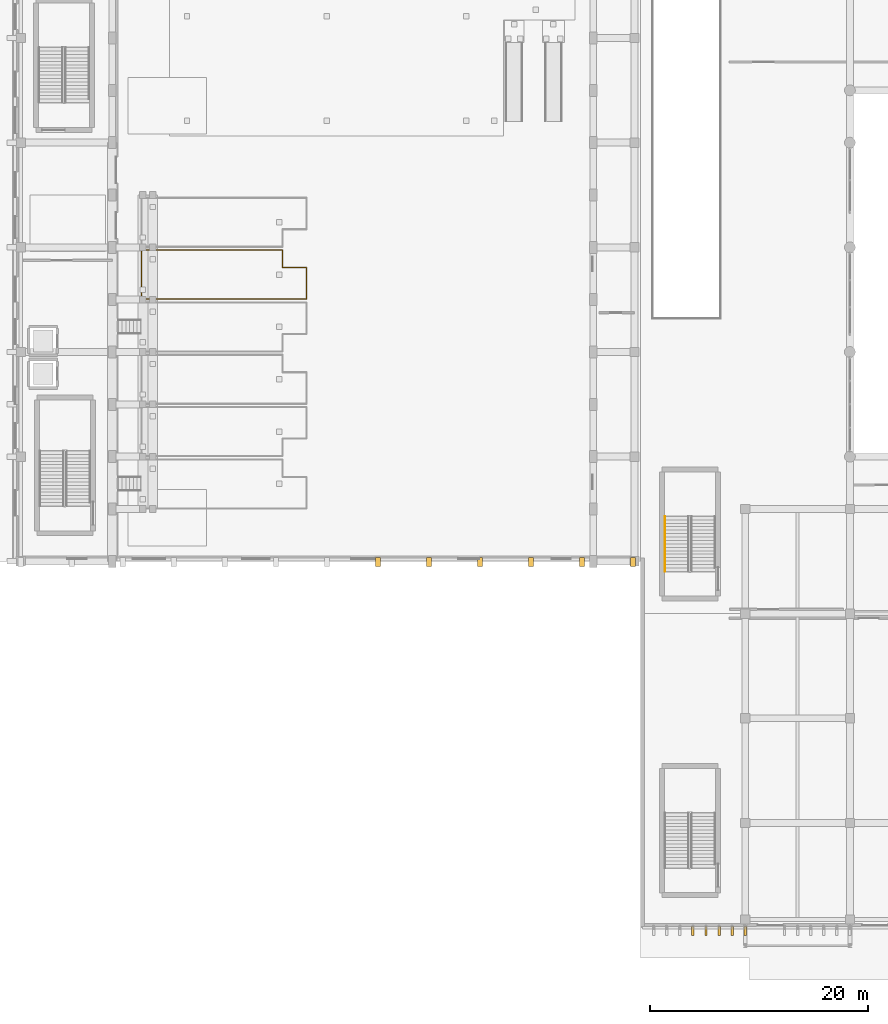
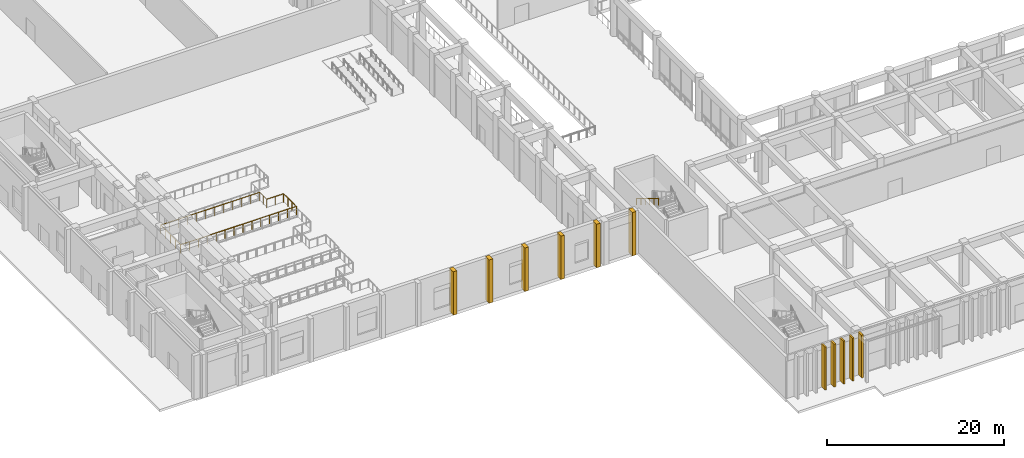
# One storey, part 62 of 87: 11 coverings, 5 shading devices, 2 railings.
"""IFC4 building model written with IfcOpenShell, lengths in metres."""

from ifc_helpers import new_model, si_unit, direction, frame, origin, origin_2d, place, context, subcontext, project, spatial, rectangle, circle, extrude, material, layer, layer_set, type_object, element, save


model = new_model("IFC4")

# Units and contexts
model_context = context("Model", 3, precision=1e-05, world=origin(), true_north=direction((0.0, 1.0)))
body_context = subcontext(model_context, "Body", "Model", "MODEL_VIEW")
ifc_project = project(units=[si_unit("LENGTHUNIT", "METRE"), si_unit("AREAUNIT", "SQUARE_METRE"), si_unit("VOLUMEUNIT", "CUBIC_METRE"), si_unit("PLANEANGLEUNIT", "RADIAN"), si_unit("MASSUNIT", "GRAM", prefix="KILO")], contexts=[model_context])

# Site, building, storey
site_placement = place(None, origin())
site = spatial("IfcSite", under=ifc_project, at=site_placement, CompositionType="ELEMENT")
building_placement = place(site_placement, origin())
building = spatial("IfcBuilding", under=site, at=building_placement, Name="Nakhvara Creek Congress Hotel", CompositionType="ELEMENT")
storey_placement = place(building_placement, origin())
storey = spatial("IfcBuildingStorey", under=building, at=storey_placement, Name="L00", CompositionType="ELEMENT", Elevation=0.0)

# Coverings
ifc_material_1 = material(Name="Honed pale Omani limestone architectural cladding", Category="masonry")
ifc_layer_1 = layer(ifc_material_1, 0.449951171875)
ifc_layer_set_1 = layer_set([ifc_layer_1], Name="Honed pale Omani limestone architectural cladding")
covering_type_1 = type_object("IfcCoveringType", Name="COV-BUTT-850", PredefinedType="CLADDING", material=ifc_layer_set_1)
for number, where, z_axis, x_axis, name in (
    (1, (33.510009765625, 33.534912109375, 0.0), (0.0, 0.0, 1.0), (1.0, 0.0, 0.0), "Gothic Limestone Buttress Pier CF03-0413"),
    (2, (38.18994140625, 33.534912109375, 0.0), (0.0, 0.0, 1.0), (1.0, 0.0, 0.0), "Gothic Limestone Buttress Pier CF03-0414"),
    (3, (42.8701171875, 33.534912109375, 0.0), (0.0, 0.0, 1.0), (1.0, 0.0, 0.0), "Gothic Limestone Buttress Pier CF03-0415"),
    (4, (47.550048828125, 33.534912109375, 0.0), (0.0, 0.0, 1.0), (1.0, 0.0, 0.0), "Gothic Limestone Buttress Pier CF03-0416"),
    (5, (52.22998046875, 33.534912109375, 0.0), (0.0, 0.0, 1.0), (1.0, 0.0, 0.0), "Gothic Limestone Buttress Pier CF03-0417"),
    (6, (56.909912109375, 33.534912109375, 0.0), (0.0, 0.0, 1.0), (1.0, 0.0, 0.0), "Gothic Limestone Buttress Pier CF03-0418"),
):
    element("IfcCovering", number, at=place(storey_placement, frame(where, z_axis=z_axis, x_axis=x_axis)), inside=storey, type_object=covering_type_1, Name=name, PredefinedType="CLADDING", context=body_context, shape_type="SweptSolid", body=[
        extrude(rectangle(XDim=0.47998046875, YDim=0.85009765625, at=origin_2d()), origin(), (0.0, 0.0, 1.0), 6.0),
    ])
ifc_layer_2 = layer(ifc_material_1, 0.219970703125)
ifc_layer_set_2 = layer_set([ifc_layer_2], Name="Honed pale Omani limestone architectural cladding")
covering_type_2 = type_object("IfcCoveringType", Name="COV-FIN-850", PredefinedType="CLADDING", material=ifc_layer_set_2)
for number, where, z_axis, x_axis, name in (
    (7, (62.39990234375, -0.304931640625, 0.0), (0.0, 0.0, 1.0), (1.0, 0.0, 0.0), "Pale Limestone Fin Cladding CF01-0045"),
    (8, (63.60009765625, -0.304931640625, 0.0), (0.0, 0.0, 1.0), (1.0, 0.0, 0.0), "Pale Limestone Fin Cladding CF01-0046"),
    (9, (64.800048828125, -0.304931640625, 0.0), (0.0, 0.0, 1.0), (1.0, 0.0, 0.0), "Pale Limestone Fin Cladding CF01-0047"),
    (10, (66.0, -0.304931640625, 0.0), (0.0, 0.0, 1.0), (1.0, 0.0, 0.0), "Pale Limestone Fin Cladding CF01-0048"),
    (11, (67.199951171875, -0.304931640625, 0.0), (0.0, 0.0, 1.0), (1.0, 0.0, 0.0), "Pale Limestone Fin Cladding CF01-0049"),
):
    element("IfcCovering", number, at=place(storey_placement, frame(where, z_axis=z_axis, x_axis=x_axis)), inside=storey, type_object=covering_type_2, Name=name, PredefinedType="CLADDING", context=body_context, shape_type="SweptSolid", body=[
        extrude(rectangle(XDim=0.219970703125, YDim=0.85009765625, at=origin_2d()), origin(), (0.0, 0.0, 1.0), 5.919921875),
    ])

# Railings
ifc_material_2 = material(Name="Bronze-anodised aluminium and laminated safety glass balustrade", Category="aluminium")
railing_type_1 = type_object("IfcRailingType", Name="RL-BALUS-1200", PredefinedType="BALUSTRADE", material=ifc_material_2)
railing_1_placement = place(storey_placement, frame((11.81005859375, 57.659912109375, 1.199951171875)))
element("IfcRailing", 12, at=railing_1_placement, inside=storey, type_object=railing_type_1, Name="Stand Tier Balustrade L00-05", PredefinedType="BALUSTRADE", context=body_context, shape_type="SweptSolid", body=[
    extrude(circle(Radius=0.02392578125, at=origin_2d()), frame((0.0146484375, 0.0, 1.17578125), z_axis=(1.0, 0.0, 0.0), x_axis=(0.0, 1.0, 0.0)), (0.0, 0.0, 1.0), 15.1005859375),
    extrude(circle(Radius=0.02392578125, at=origin_2d()), frame((15.1298828125, 0.0146484375, 1.17578125), z_axis=(0.0, 1.0, 0.0), x_axis=(-1.0, 0.0, 0.0)), (0.0, 0.0, 1.0), 2.850830078125),
    extrude(circle(Radius=0.02392578125, at=origin_2d()), frame((15.115234375, 2.880126953125, 1.17578125), z_axis=(-1.0, 0.0, 0.0), x_axis=(0.0, -1.0, 0.0)), (0.0, 0.0, 1.0), 2.170654296875),
    extrude(circle(Radius=0.02392578125, at=origin_2d()), frame((12.929931640625, 2.894775390625, 1.17578125), z_axis=(0.0, 1.0, 0.0), x_axis=(-1.0, 0.0, 0.0)), (0.0, 0.0, 1.0), 1.570556640625),
    extrude(circle(Radius=0.02392578125, at=origin_2d()), frame((12.915283203125, 4.47998046875, 1.17578125), z_axis=(-1.0, 0.0, 0.0), x_axis=(0.0, -1.0, 0.0)), (0.0, 0.0, 1.0), 12.900634765625),
    extrude(circle(Radius=0.02392578125, at=origin_2d()), frame((0.0, 4.46533203125, 1.17578125), z_axis=(0.0, -1.0, 0.0), x_axis=(1.0, 0.0, 0.0)), (0.0, 0.0, 1.0), 4.45068359375),
    extrude(circle(Radius=0.02099609375, at=origin_2d()), origin(), (0.0, 0.0, 1.0), 1.1806640625),
    extrude(circle(Radius=0.02099609375, at=origin_2d()), frame((1.163818359375, 0.0, 0.0)), (0.0, 0.0, 1.0), 1.1806640625),
    extrude(circle(Radius=0.02099609375, at=origin_2d()), frame((2.32763671875, 0.0, 0.0)), (0.0, 0.0, 1.0), 1.1806640625),
    extrude(circle(Radius=0.02099609375, at=origin_2d()), frame((3.491455078125, 0.0, 0.0)), (0.0, 0.0, 1.0), 1.1806640625),
    extrude(circle(Radius=0.02099609375, at=origin_2d()), frame((4.6552734375, 0.0, 0.0)), (0.0, 0.0, 1.0), 1.1806640625),
    extrude(circle(Radius=0.02099609375, at=origin_2d()), frame((5.819091796875, 0.0, 0.0)), (0.0, 0.0, 1.0), 1.1806640625),
    extrude(circle(Radius=0.02099609375, at=origin_2d()), frame((6.98291015625, 0.0, 0.0)), (0.0, 0.0, 1.0), 1.1806640625),
    extrude(circle(Radius=0.02099609375, at=origin_2d()), frame((8.14697265625, 0.0, 0.0)), (0.0, 0.0, 1.0), 1.1806640625),
    extrude(circle(Radius=0.02099609375, at=origin_2d()), frame((9.310791015625, 0.0, 0.0)), (0.0, 0.0, 1.0), 1.1806640625),
    extrude(circle(Radius=0.02099609375, at=origin_2d()), frame((10.474609375, 0.0, 0.0)), (0.0, 0.0, 1.0), 1.1806640625),
    extrude(circle(Radius=0.02099609375, at=origin_2d()), frame((11.638427734375, 0.0, 0.0)), (0.0, 0.0, 1.0), 1.1806640625),
    extrude(circle(Radius=0.02099609375, at=origin_2d()), frame((12.80224609375, 0.0, 0.0)), (0.0, 0.0, 1.0), 1.1806640625),
    extrude(circle(Radius=0.02099609375, at=origin_2d()), frame((13.966064453125, 0.0, 0.0)), (0.0, 0.0, 1.0), 1.1806640625),
    extrude(circle(Radius=0.02099609375, at=origin_2d()), frame((15.1298828125, 0.0, 0.0)), (0.0, 0.0, 1.0), 1.1806640625),
    extrude(circle(Radius=0.02099609375, at=origin_2d()), frame((15.1298828125, 0.9599609375, 0.0)), (0.0, 0.0, 1.0), 1.1806640625),
    extrude(circle(Radius=0.02099609375, at=origin_2d()), frame((15.1298828125, 1.920166015625, 0.0)), (0.0, 0.0, 1.0), 1.1806640625),
    extrude(circle(Radius=0.02099609375, at=origin_2d()), frame((15.1298828125, 2.880126953125, 0.0)), (0.0, 0.0, 1.0), 1.1806640625),
    extrude(circle(Radius=0.02099609375, at=origin_2d()), frame((14.02978515625, 2.880126953125, 0.0)), (0.0, 0.0, 1.0), 1.1806640625),
    extrude(circle(Radius=0.02099609375, at=origin_2d()), frame((12.929931640625, 2.880126953125, 0.0)), (0.0, 0.0, 1.0), 1.1806640625),
    extrude(circle(Radius=0.02099609375, at=origin_2d()), frame((12.929931640625, 3.68017578125, 0.0)), (0.0, 0.0, 1.0), 1.1806640625),
    extrude(circle(Radius=0.02099609375, at=origin_2d()), frame((12.929931640625, 4.47998046875, 0.0)), (0.0, 0.0, 1.0), 1.1806640625),
    extrude(circle(Radius=0.02099609375, at=origin_2d()), frame((11.75439453125, 4.47998046875, 0.0)), (0.0, 0.0, 1.0), 1.1806640625),
    extrude(circle(Radius=0.02099609375, at=origin_2d()), frame((10.5791015625, 4.47998046875, 0.0)), (0.0, 0.0, 1.0), 1.1806640625),
    extrude(circle(Radius=0.02099609375, at=origin_2d()), frame((9.403564453125, 4.47998046875, 0.0)), (0.0, 0.0, 1.0), 1.1806640625),
    extrude(circle(Radius=0.02099609375, at=origin_2d()), frame((8.22802734375, 4.47998046875, 0.0)), (0.0, 0.0, 1.0), 1.1806640625),
    extrude(circle(Radius=0.02099609375, at=origin_2d()), frame((7.052734375, 4.47998046875, 0.0)), (0.0, 0.0, 1.0), 1.1806640625),
    extrude(circle(Radius=0.02099609375, at=origin_2d()), frame((5.877197265625, 4.47998046875, 0.0)), (0.0, 0.0, 1.0), 1.1806640625),
    extrude(circle(Radius=0.02099609375, at=origin_2d()), frame((4.701904296875, 4.47998046875, 0.0)), (0.0, 0.0, 1.0), 1.1806640625),
    extrude(circle(Radius=0.02099609375, at=origin_2d()), frame((3.5263671875, 4.47998046875, 0.0)), (0.0, 0.0, 1.0), 1.1806640625),
    extrude(circle(Radius=0.02099609375, at=origin_2d()), frame((2.350830078125, 4.47998046875, 0.0)), (0.0, 0.0, 1.0), 1.1806640625),
    extrude(circle(Radius=0.02099609375, at=origin_2d()), frame((1.175537109375, 4.47998046875, 0.0)), (0.0, 0.0, 1.0), 1.1806640625),
    extrude(circle(Radius=0.02099609375, at=origin_2d()), frame((0.0, 4.47998046875, 0.0)), (0.0, 0.0, 1.0), 1.1806640625),
    extrude(circle(Radius=0.02099609375, at=origin_2d()), frame((0.0, 3.35986328125, 0.0)), (0.0, 0.0, 1.0), 1.1806640625),
    extrude(circle(Radius=0.02099609375, at=origin_2d()), frame((0.0, 2.239990234375, 0.0)), (0.0, 0.0, 1.0), 1.1806640625),
    extrude(circle(Radius=0.02099609375, at=origin_2d()), frame((0.0, 1.1201171875, 0.0)), (0.0, 0.0, 1.0), 1.1806640625),
])
ifc_material_3 = material(Name="Brushed stainless steel 316L", Category="steel")
railing_type_2 = type_object("IfcRailingType", Name="RL-HAND-900", PredefinedType="HANDRAIL", material=ifc_material_3)
railing_2_placement = place(storey_placement, frame((59.844970703125, 37.719970703125, 3.176513671875)))
element("IfcRailing", 13, at=railing_2_placement, inside=storey, type_object=railing_type_2, Name="L00 ST13 stair handrail 2", PredefinedType="HANDRAIL", context=body_context, shape_type="SweptSolid", body=[
    extrude(circle(Radius=0.02392578125, at=origin_2d()), frame((0.0, -0.0126953125, 0.88330078125), z_axis=(0.0, -0.858471053773, 0.512862018319), x_axis=(1.0, 0.0, 0.0)), (0.0, 0.0, 1.0), 5.841552734375),
    extrude(circle(Radius=0.02099609375, at=origin_2d()), origin(), (0.0, 0.0, 1.0), 0.880615234375),
    extrude(circle(Radius=0.02099609375, at=origin_2d()), frame((0.0, -1.008056640625, 0.602294921875)), (0.0, 0.0, 1.0), 0.880615234375),
    extrude(circle(Radius=0.02099609375, at=origin_2d()), frame((0.0, -2.01611328125, 1.204345703125)), (0.0, 0.0, 1.0), 0.880615234375),
    extrude(circle(Radius=0.02099609375, at=origin_2d()), frame((0.0, -3.02392578125, 1.806640625)), (0.0, 0.0, 1.0), 0.880615234375),
    extrude(circle(Radius=0.02099609375, at=origin_2d()), frame((0.0, -4.031982421875, 2.40869140625)), (0.0, 0.0, 1.0), 0.880615234375),
    extrude(circle(Radius=0.02099609375, at=origin_2d()), frame((0.0, -5.0400390625, 3.010986328125)), (0.0, 0.0, 1.0), 0.880615234375),
])

# Shading devices
ifc_material_4 = material(Name="Honed pale Omani limestone cladding on stainless steel spine", Category="masonry")
shading_device_type = type_object("IfcShadingDeviceType", Name="SHD-FIN-850X5800", PredefinedType="USERDEFINED", material=ifc_material_4)
for number, where, z_axis, x_axis, name in (
    (14, (62.39990234375, -0.304931640625, 0.0), (0.0, 0.0, 1.0), (1.0, 0.0, 0.0), "Limestone Solar Fin FN03-0045"),
    (15, (63.60009765625, -0.304931640625, 0.0), (0.0, 0.0, 1.0), (1.0, 0.0, 0.0), "Limestone Solar Fin FN03-0046"),
    (16, (64.800048828125, -0.304931640625, 0.0), (0.0, 0.0, 1.0), (1.0, 0.0, 0.0), "Limestone Solar Fin FN03-0047"),
    (17, (66.0, -0.304931640625, 0.0), (0.0, 0.0, 1.0), (1.0, 0.0, 0.0), "Limestone Solar Fin FN03-0048"),
    (18, (67.199951171875, -0.304931640625, 0.0), (0.0, 0.0, 1.0), (1.0, 0.0, 0.0), "Limestone Solar Fin FN03-0049"),
):
    element("IfcShadingDevice", number, at=place(storey_placement, frame(where, z_axis=z_axis, x_axis=x_axis)), inside=storey, type_object=shading_device_type, Name=name, ObjectType="FIN", PredefinedType="USERDEFINED", context=body_context, shape_type="SweptSolid", body=[
        extrude(rectangle(XDim=0.219970703125, YDim=0.85009765625, at=origin_2d()), origin(), (0.0, 0.0, 1.0), 5.919921875),
    ])

save(model, "model.ifc")
